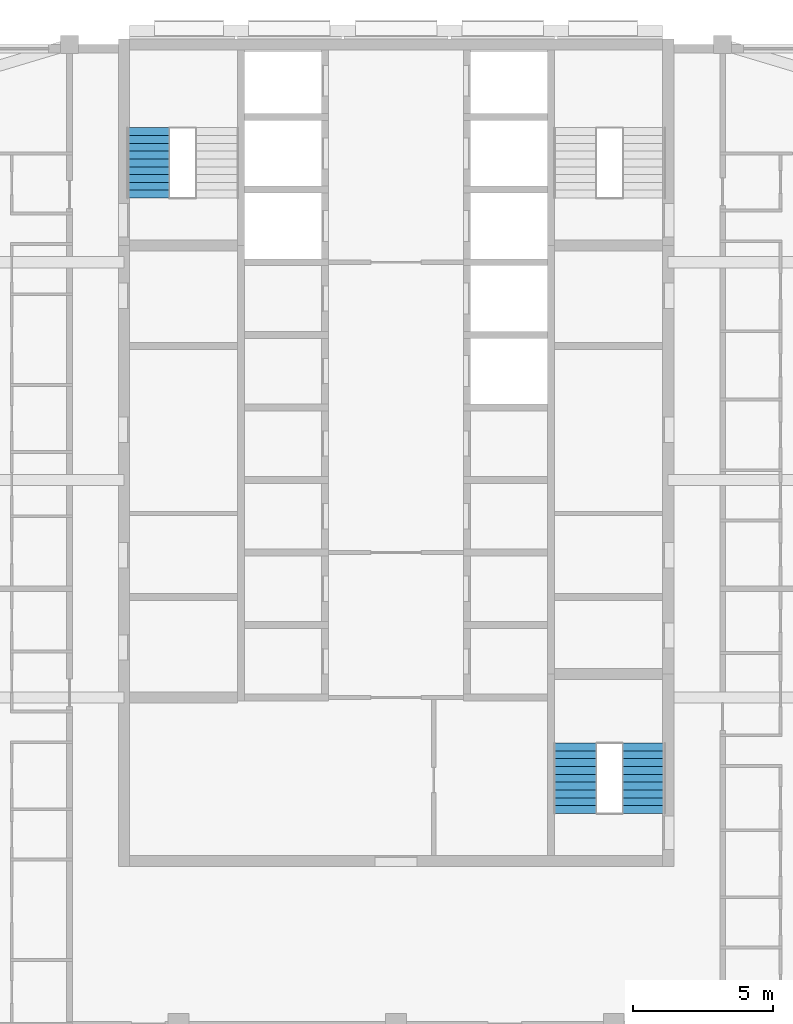
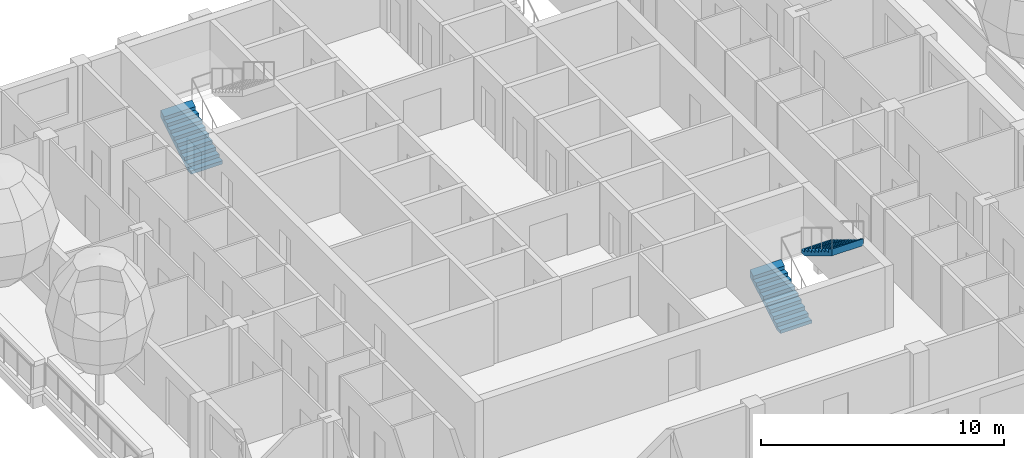
# One storey, part 9 of 13: 3 stair flights, 2 elements without a shape of their own.
"""IFC4 building model written with IfcOpenShell, lengths in metres."""

from ifc_helpers import new_model, si_unit, direction, frame, origin, place, context, subcontext, project, spatial, triangles, material, type_object, element, aggregate, save


model = new_model("IFC4")

# Units and contexts
model_context = context("Model", 3, precision=1e-05, world=origin(), true_north=direction((0.0, 1.0)))
body_context = subcontext(model_context, "Body", "Model", "MODEL_VIEW")
ifc_project = project(units=[si_unit("LENGTHUNIT", "METRE"), si_unit("AREAUNIT", "SQUARE_METRE"), si_unit("VOLUMEUNIT", "CUBIC_METRE"), si_unit("PLANEANGLEUNIT", "RADIAN"), si_unit("MASSUNIT", "GRAM", prefix="KILO")], contexts=[model_context])

# Site, building, storey
site_placement = place(None, origin())
site = spatial("IfcSite", under=ifc_project, at=site_placement, CompositionType="ELEMENT")
building_placement = place(site_placement, origin())
building = spatial("IfcBuilding", under=site, at=building_placement, Name="Ludao Terraces", CompositionType="ELEMENT")
storey_placement = place(building_placement, frame((0.0, 0.0, 259.60009765625)))
storey = spatial("IfcBuildingStorey", under=building, at=storey_placement, Name="L71", CompositionType="ELEMENT", Elevation=259.60009765625)

# Stair, stair flight
ifc_material = material(Name="Concrete C40", Category="concrete")
stair_type = type_object("IfcStairType", Name="INT Stair", PredefinedType="HALF_TURN_STAIR", material=ifc_material)
stair_1_placement = place(storey_placement, origin())
stair_1 = element("IfcStair", 1, at=stair_1_placement, inside=storey, type_object=stair_type, Name="EXIT STAIR 1", PredefinedType="HALF_TURN_STAIR")
stair_flight_type = type_object("IfcStairFlightType", Name="INT Stair flight", PredefinedType="STRAIGHT", material=ifc_material)
stair_flight_1_placement = place(storey_placement, frame((76.125, 79.0, 0.0), z_axis=(0.0, 0.0, 1.0), x_axis=(0.0, 1.0, 0.0)))
stair_flight_1 = element("IfcStairFlight", 2, at=stair_flight_1_placement, type_object=stair_flight_type, Name="ST1 flight 1", NumberOfRisers=10, NumberOfTreads=9, PredefinedType="STRAIGHT", RiserHeight=0.17, TreadLength=0.28, context=body_context, shape_type="Tessellation", body=[
    triangles([(0.0, -0.75, 0.0), (0.0, -0.5, 0.0), (0.0, -0.25, 0.0), (0.0, 0.0, 0.0), (0.0, 0.25, 0.0), (0.0, 0.5, 0.0), (0.0, 0.75, 0.0), (0.0, -0.75, 0.169921875), (0.0, -0.5, 0.169921875), (0.0, -0.25, 0.169921875), (0.0, 0.0, 0.169921875), (0.0, 0.25, 0.169921875), (0.0, 0.5, 0.169921875), (0.0, 0.75, 0.169921875), (0.280029296875, -0.75, 0.169921875), (0.280029296875, -0.5, 0.169921875), (0.280029296875, -0.25, 0.169921875), (0.280029296875, 0.0, 0.169921875), (0.280029296875, 0.25, 0.169921875), (0.280029296875, 0.5, 0.169921875), (0.280029296875, 0.75, 0.169921875), (0.280029296875, -0.75, 0.340087890625), (0.280029296875, -0.5, 0.340087890625), (0.280029296875, -0.25, 0.340087890625), (0.280029296875, 0.0, 0.340087890625), (0.280029296875, 0.25, 0.340087890625), (0.280029296875, 0.5, 0.340087890625), (0.280029296875, 0.75, 0.340087890625), (0.56005859375, -0.75, 0.340087890625), (0.56005859375, -0.5, 0.340087890625), (0.56005859375, -0.25, 0.340087890625), (0.56005859375, 0.0, 0.340087890625), (0.56005859375, 0.25, 0.340087890625), (0.56005859375, 0.5, 0.340087890625), (0.56005859375, 0.75, 0.340087890625), (0.56005859375, -0.75, 0.510009765625), (0.56005859375, -0.5, 0.510009765625), (0.56005859375, -0.25, 0.510009765625), (0.56005859375, 0.0, 0.510009765625), (0.56005859375, 0.25, 0.510009765625), (0.56005859375, 0.5, 0.510009765625), (0.56005859375, 0.75, 0.510009765625), (0.840087890625, -0.75, 0.510009765625), (0.840087890625, -0.5, 0.510009765625), (0.840087890625, -0.25, 0.510009765625), (0.840087890625, 0.0, 0.510009765625), (0.840087890625, 0.25, 0.510009765625), (0.840087890625, 0.5, 0.510009765625), (0.840087890625, 0.75, 0.510009765625), (0.840087890625, -0.75, 0.679931640625), (0.840087890625, -0.5, 0.679931640625), (0.840087890625, -0.25, 0.679931640625), (0.840087890625, 0.0, 0.679931640625), (0.840087890625, 0.25, 0.679931640625), (0.840087890625, 0.5, 0.679931640625), (0.840087890625, 0.75, 0.679931640625), (1.1201171875, -0.75, 0.679931640625), (1.1201171875, -0.5, 0.679931640625), (1.1201171875, -0.25, 0.679931640625), (1.1201171875, 0.0, 0.679931640625), (1.1201171875, 0.25, 0.679931640625), (1.1201171875, 0.5, 0.679931640625), (1.1201171875, 0.75, 0.679931640625), (1.1201171875, -0.75, 0.85009765625), (1.1201171875, -0.5, 0.85009765625), (1.1201171875, -0.25, 0.85009765625), (1.1201171875, 0.0, 0.85009765625), (1.1201171875, 0.25, 0.85009765625), (1.1201171875, 0.5, 0.85009765625), (1.1201171875, 0.75, 0.85009765625), (1.39990234375, -0.75, 0.85009765625), (1.39990234375, -0.5, 0.85009765625), (1.39990234375, -0.25, 0.85009765625), (1.39990234375, 0.0, 0.85009765625), (1.39990234375, 0.25, 0.85009765625), (1.39990234375, 0.5, 0.85009765625), (1.39990234375, 0.75, 0.85009765625), (1.39990234375, -0.75, 1.02001953125), (1.39990234375, -0.5, 1.02001953125), (1.39990234375, -0.25, 1.02001953125), (1.39990234375, 0.0, 1.02001953125), (1.39990234375, 0.25, 1.02001953125), (1.39990234375, 0.5, 1.02001953125), (1.39990234375, 0.75, 1.02001953125), (1.679931640625, -0.75, 1.02001953125), (1.679931640625, -0.5, 1.02001953125), (1.679931640625, -0.25, 1.02001953125), (1.679931640625, 0.0, 1.02001953125), (1.679931640625, 0.25, 1.02001953125), (1.679931640625, 0.5, 1.02001953125), (1.679931640625, 0.75, 1.02001953125), (1.679931640625, -0.75, 1.18994140625), (1.679931640625, -0.5, 1.18994140625), (1.679931640625, -0.25, 1.18994140625), (1.679931640625, 0.0, 1.18994140625), (1.679931640625, 0.25, 1.18994140625), (1.679931640625, 0.5, 1.18994140625), (1.679931640625, 0.75, 1.18994140625), (1.9599609375, -0.75, 1.18994140625), (1.9599609375, -0.5, 1.18994140625), (1.9599609375, -0.25, 1.18994140625), (1.9599609375, 0.0, 1.18994140625), (1.9599609375, 0.25, 1.18994140625), (1.9599609375, 0.5, 1.18994140625), (1.9599609375, 0.75, 1.18994140625), (1.9599609375, -0.75, 1.360107421875), (1.9599609375, -0.5, 1.360107421875), (1.9599609375, -0.25, 1.360107421875), (1.9599609375, 0.0, 1.360107421875), (1.9599609375, 0.25, 1.360107421875), (1.9599609375, 0.5, 1.360107421875), (1.9599609375, 0.75, 1.360107421875), (2.239990234375, -0.75, 1.360107421875), (2.239990234375, -0.5, 1.360107421875), (2.239990234375, -0.25, 1.360107421875), (2.239990234375, 0.0, 1.360107421875), (2.239990234375, 0.25, 1.360107421875), (2.239990234375, 0.5, 1.360107421875), (2.239990234375, 0.75, 1.360107421875), (2.239990234375, -0.75, 1.530029296875), (2.239990234375, -0.5, 1.530029296875), (2.239990234375, -0.25, 1.530029296875), (2.239990234375, 0.0, 1.530029296875), (2.239990234375, 0.25, 1.530029296875), (2.239990234375, 0.5, 1.530029296875), (2.239990234375, 0.75, 1.530029296875), (2.52001953125, -0.75, 1.699951171875), (2.52001953125, -0.5, 1.699951171875), (2.52001953125, -0.25, 1.699951171875), (2.52001953125, 0.0, 1.699951171875), (2.52001953125, 0.25, 1.699951171875), (2.52001953125, 0.5, 1.699951171875), (2.52001953125, 0.75, 1.699951171875), (2.52001953125, -0.75, 1.354736328125), (2.52001953125, -0.5, 1.354736328125), (2.52001953125, -0.25, 1.354736328125), (2.52001953125, 0.0, 1.354736328125), (2.52001953125, 0.25, 1.354736328125), (2.52001953125, 0.5, 1.354736328125), (2.52001953125, 0.75, 1.354736328125), (0.288818359375, -0.75, 0.0), (0.288818359375, -0.5, 0.0), (0.288818359375, -0.25, 0.0), (0.288818359375, 0.0, 0.0), (0.288818359375, 0.25, 0.0), (0.288818359375, 0.5, 0.0), (0.288818359375, 0.75, 0.0)], [[1, 141, 134], [7, 140, 147], [134, 127, 120], [140, 126, 133], [134, 120, 113], [140, 119, 126], [134, 113, 106], [140, 112, 119], [134, 106, 99], [140, 105, 112], [99, 92, 85], [105, 91, 98], [134, 99, 85], [140, 91, 105], [85, 78, 71], [91, 77, 84], [134, 85, 71], [140, 77, 91], [71, 64, 57], [77, 63, 70], [134, 71, 57], [140, 63, 77], [57, 50, 43], [63, 49, 56], [134, 57, 43], [140, 49, 63], [43, 36, 29], [49, 35, 42], [134, 43, 29], [140, 35, 49], [29, 22, 15], [35, 21, 28], [134, 29, 15], [140, 21, 35], [1, 134, 15], [7, 21, 140], [15, 8, 1], [21, 7, 14], [1, 9, 2], [1, 8, 9], [2, 10, 3], [2, 9, 10], [3, 11, 4], [3, 10, 11], [4, 12, 5], [4, 11, 12], [5, 13, 6], [5, 12, 13], [6, 14, 7], [6, 13, 14], [8, 16, 9], [8, 15, 16], [9, 17, 10], [9, 16, 17], [10, 18, 11], [10, 17, 18], [11, 19, 12], [11, 18, 19], [12, 20, 13], [12, 19, 20], [13, 21, 14], [13, 20, 21], [15, 23, 16], [15, 22, 23], [16, 24, 17], [16, 23, 24], [17, 25, 18], [17, 24, 25], [18, 26, 19], [18, 25, 26], [19, 27, 20], [19, 26, 27], [20, 28, 21], [20, 27, 28], [22, 30, 23], [22, 29, 30], [23, 31, 24], [23, 30, 31], [24, 32, 25], [24, 31, 32], [25, 33, 26], [25, 32, 33], [26, 34, 27], [26, 33, 34], [27, 35, 28], [27, 34, 35], [29, 37, 30], [29, 36, 37], [30, 38, 31], [30, 37, 38], [31, 39, 32], [31, 38, 39], [32, 40, 33], [32, 39, 40], [33, 41, 34], [33, 40, 41], [34, 42, 35], [34, 41, 42], [36, 44, 37], [36, 43, 44], [37, 45, 38], [37, 44, 45], [38, 46, 39], [38, 45, 46], [39, 47, 40], [39, 46, 47], [40, 48, 41], [40, 47, 48], [41, 49, 42], [41, 48, 49], [43, 51, 44], [43, 50, 51], [44, 52, 45], [44, 51, 52], [45, 53, 46], [45, 52, 53], [46, 54, 47], [46, 53, 54], [47, 55, 48], [47, 54, 55], [48, 56, 49], [48, 55, 56], [50, 58, 51], [50, 57, 58], [51, 59, 52], [51, 58, 59], [52, 60, 53], [52, 59, 60], [53, 61, 54], [53, 60, 61], [54, 62, 55], [54, 61, 62], [55, 63, 56], [55, 62, 63], [57, 65, 58], [57, 64, 65], [58, 66, 59], [58, 65, 66], [59, 67, 60], [59, 66, 67], [60, 68, 61], [60, 67, 68], [61, 69, 62], [61, 68, 69], [62, 70, 63], [62, 69, 70], [64, 72, 65], [64, 71, 72], [65, 73, 66], [65, 72, 73], [66, 74, 67], [66, 73, 74], [67, 75, 68], [67, 74, 75], [68, 76, 69], [68, 75, 76], [69, 77, 70], [69, 76, 77], [71, 79, 72], [71, 78, 79], [72, 80, 73], [72, 79, 80], [73, 81, 74], [73, 80, 81], [74, 82, 75], [74, 81, 82], [75, 83, 76], [75, 82, 83], [76, 84, 77], [76, 83, 84], [78, 86, 79], [78, 85, 86], [79, 87, 80], [79, 86, 87], [80, 88, 81], [80, 87, 88], [81, 89, 82], [81, 88, 89], [82, 90, 83], [82, 89, 90], [83, 91, 84], [83, 90, 91], [85, 93, 86], [85, 92, 93], [86, 94, 87], [86, 93, 94], [87, 95, 88], [87, 94, 95], [88, 96, 89], [88, 95, 96], [89, 97, 90], [89, 96, 97], [90, 98, 91], [90, 97, 98], [92, 100, 93], [92, 99, 100], [93, 101, 94], [93, 100, 101], [94, 102, 95], [94, 101, 102], [95, 103, 96], [95, 102, 103], [96, 104, 97], [96, 103, 104], [97, 105, 98], [97, 104, 105], [99, 107, 100], [99, 106, 107], [100, 108, 101], [100, 107, 108], [101, 109, 102], [101, 108, 109], [102, 110, 103], [102, 109, 110], [103, 111, 104], [103, 110, 111], [104, 112, 105], [104, 111, 112], [106, 114, 107], [106, 113, 114], [107, 115, 108], [107, 114, 115], [108, 116, 109], [108, 115, 116], [109, 117, 110], [109, 116, 117], [110, 118, 111], [110, 117, 118], [111, 119, 112], [111, 118, 119], [113, 121, 114], [113, 120, 121], [114, 122, 115], [114, 121, 122], [115, 123, 116], [115, 122, 123], [116, 124, 117], [116, 123, 124], [117, 125, 118], [117, 124, 125], [118, 126, 119], [118, 125, 126], [120, 128, 121], [120, 127, 128], [121, 129, 122], [121, 128, 129], [122, 130, 123], [122, 129, 130], [123, 131, 124], [123, 130, 131], [124, 132, 125], [124, 131, 132], [125, 133, 126], [125, 132, 133], [127, 135, 128], [127, 134, 135], [128, 136, 129], [128, 135, 136], [129, 137, 130], [129, 136, 137], [130, 138, 131], [130, 137, 138], [131, 139, 132], [131, 138, 139], [132, 140, 133], [132, 139, 140], [134, 142, 135], [134, 141, 142], [135, 143, 136], [135, 142, 143], [136, 144, 137], [136, 143, 144], [137, 145, 138], [137, 144, 145], [138, 146, 139], [138, 145, 146], [139, 147, 140], [139, 146, 147], [141, 2, 142], [141, 1, 2], [142, 3, 143], [142, 2, 3], [143, 4, 144], [143, 3, 4], [144, 5, 145], [144, 4, 5], [145, 6, 146], [145, 5, 6], [146, 7, 147], [146, 6, 7]], closed=True),
])
aggregate(stair_1, [stair_flight_1])

# Stair, stair flights
stair_2_placement = place(storey_placement, origin())
stair_2 = element("IfcStair", 3, at=stair_2_placement, inside=storey, type_object=stair_type, Name="EXIT STAIR 3", PredefinedType="HALF_TURN_STAIR")
stair_flight_2_placement = place(storey_placement, frame((91.425048828125, 56.949951171875, 0.0), z_axis=(0.0, 0.0, 1.0), x_axis=(0.0, 1.0, 0.0)))
stair_flight_2 = element("IfcStairFlight", 4, at=stair_flight_2_placement, type_object=stair_flight_type, Name="ST3 flight 1", NumberOfRisers=10, NumberOfTreads=9, PredefinedType="STRAIGHT", RiserHeight=0.17, TreadLength=0.28, context=body_context, shape_type="Tessellation", body=[
    triangles([(0.0, -0.75, 0.0), (0.0, -0.5, 0.0), (0.0, -0.25, 0.0), (0.0, 0.0, 0.0), (0.0, 0.25, 0.0), (0.0, 0.5, 0.0), (0.0, 0.75, 0.0), (0.0, -0.75, 0.169921875), (0.0, -0.5, 0.169921875), (0.0, -0.25, 0.169921875), (0.0, 0.0, 0.169921875), (0.0, 0.25, 0.169921875), (0.0, 0.5, 0.169921875), (0.0, 0.75, 0.169921875), (0.280029296875, -0.75, 0.169921875), (0.280029296875, -0.5, 0.169921875), (0.280029296875, -0.25, 0.169921875), (0.280029296875, 0.0, 0.169921875), (0.280029296875, 0.25, 0.169921875), (0.280029296875, 0.5, 0.169921875), (0.280029296875, 0.75, 0.169921875), (0.280029296875, -0.75, 0.340087890625), (0.280029296875, -0.5, 0.340087890625), (0.280029296875, -0.25, 0.340087890625), (0.280029296875, 0.0, 0.340087890625), (0.280029296875, 0.25, 0.340087890625), (0.280029296875, 0.5, 0.340087890625), (0.280029296875, 0.75, 0.340087890625), (0.56005859375, -0.75, 0.340087890625), (0.56005859375, -0.5, 0.340087890625), (0.56005859375, -0.25, 0.340087890625), (0.56005859375, 0.0, 0.340087890625), (0.56005859375, 0.25, 0.340087890625), (0.56005859375, 0.5, 0.340087890625), (0.56005859375, 0.75, 0.340087890625), (0.56005859375, -0.75, 0.510009765625), (0.56005859375, -0.5, 0.510009765625), (0.56005859375, -0.25, 0.510009765625), (0.56005859375, 0.0, 0.510009765625), (0.56005859375, 0.25, 0.510009765625), (0.56005859375, 0.5, 0.510009765625), (0.56005859375, 0.75, 0.510009765625), (0.840087890625, -0.75, 0.510009765625), (0.840087890625, -0.5, 0.510009765625), (0.840087890625, -0.25, 0.510009765625), (0.840087890625, 0.0, 0.510009765625), (0.840087890625, 0.25, 0.510009765625), (0.840087890625, 0.5, 0.510009765625), (0.840087890625, 0.75, 0.510009765625), (0.840087890625, -0.75, 0.679931640625), (0.840087890625, -0.5, 0.679931640625), (0.840087890625, -0.25, 0.679931640625), (0.840087890625, 0.0, 0.679931640625), (0.840087890625, 0.25, 0.679931640625), (0.840087890625, 0.5, 0.679931640625), (0.840087890625, 0.75, 0.679931640625), (1.1201171875, -0.75, 0.679931640625), (1.1201171875, -0.5, 0.679931640625), (1.1201171875, -0.25, 0.679931640625), (1.1201171875, 0.0, 0.679931640625), (1.1201171875, 0.25, 0.679931640625), (1.1201171875, 0.5, 0.679931640625), (1.1201171875, 0.75, 0.679931640625), (1.1201171875, -0.75, 0.85009765625), (1.1201171875, -0.5, 0.85009765625), (1.1201171875, -0.25, 0.85009765625), (1.1201171875, 0.0, 0.85009765625), (1.1201171875, 0.25, 0.85009765625), (1.1201171875, 0.5, 0.85009765625), (1.1201171875, 0.75, 0.85009765625), (1.39990234375, -0.75, 0.85009765625), (1.39990234375, -0.5, 0.85009765625), (1.39990234375, -0.25, 0.85009765625), (1.39990234375, 0.0, 0.85009765625), (1.39990234375, 0.25, 0.85009765625), (1.39990234375, 0.5, 0.85009765625), (1.39990234375, 0.75, 0.85009765625), (1.39990234375, -0.75, 1.02001953125), (1.39990234375, -0.5, 1.02001953125), (1.39990234375, -0.25, 1.02001953125), (1.39990234375, 0.0, 1.02001953125), (1.39990234375, 0.25, 1.02001953125), (1.39990234375, 0.5, 1.02001953125), (1.39990234375, 0.75, 1.02001953125), (1.679931640625, -0.75, 1.02001953125), (1.679931640625, -0.5, 1.02001953125), (1.679931640625, -0.25, 1.02001953125), (1.679931640625, 0.0, 1.02001953125), (1.679931640625, 0.25, 1.02001953125), (1.679931640625, 0.5, 1.02001953125), (1.679931640625, 0.75, 1.02001953125), (1.679931640625, -0.75, 1.18994140625), (1.679931640625, -0.5, 1.18994140625), (1.679931640625, -0.25, 1.18994140625), (1.679931640625, 0.0, 1.18994140625), (1.679931640625, 0.25, 1.18994140625), (1.679931640625, 0.5, 1.18994140625), (1.679931640625, 0.75, 1.18994140625), (1.9599609375, -0.75, 1.18994140625), (1.9599609375, -0.5, 1.18994140625), (1.9599609375, -0.25, 1.18994140625), (1.9599609375, 0.0, 1.18994140625), (1.9599609375, 0.25, 1.18994140625), (1.9599609375, 0.5, 1.18994140625), (1.9599609375, 0.75, 1.18994140625), (1.9599609375, -0.75, 1.360107421875), (1.9599609375, -0.5, 1.360107421875), (1.9599609375, -0.25, 1.360107421875), (1.9599609375, 0.0, 1.360107421875), (1.9599609375, 0.25, 1.360107421875), (1.9599609375, 0.5, 1.360107421875), (1.9599609375, 0.75, 1.360107421875), (2.239990234375, -0.75, 1.360107421875), (2.239990234375, -0.5, 1.360107421875), (2.239990234375, -0.25, 1.360107421875), (2.239990234375, 0.0, 1.360107421875), (2.239990234375, 0.25, 1.360107421875), (2.239990234375, 0.5, 1.360107421875), (2.239990234375, 0.75, 1.360107421875), (2.239990234375, -0.75, 1.530029296875), (2.239990234375, -0.5, 1.530029296875), (2.239990234375, -0.25, 1.530029296875), (2.239990234375, 0.0, 1.530029296875), (2.239990234375, 0.25, 1.530029296875), (2.239990234375, 0.5, 1.530029296875), (2.239990234375, 0.75, 1.530029296875), (2.52001953125, -0.75, 1.699951171875), (2.52001953125, -0.5, 1.699951171875), (2.52001953125, -0.25, 1.699951171875), (2.52001953125, 0.0, 1.699951171875), (2.52001953125, 0.25, 1.699951171875), (2.52001953125, 0.5, 1.699951171875), (2.52001953125, 0.75, 1.699951171875), (2.52001953125, -0.75, 1.354736328125), (2.52001953125, -0.5, 1.354736328125), (2.52001953125, -0.25, 1.354736328125), (2.52001953125, 0.0, 1.354736328125), (2.52001953125, 0.25, 1.354736328125), (2.52001953125, 0.5, 1.354736328125), (2.52001953125, 0.75, 1.354736328125), (0.288818359375, -0.75, 0.0), (0.288818359375, -0.5, 0.0), (0.288818359375, -0.25, 0.0), (0.288818359375, 0.0, 0.0), (0.288818359375, 0.25, 0.0), (0.288818359375, 0.5, 0.0), (0.288818359375, 0.75, 0.0)], [[1, 141, 134], [7, 140, 147], [134, 127, 120], [140, 126, 133], [134, 120, 113], [140, 119, 126], [134, 113, 106], [140, 112, 119], [134, 106, 99], [140, 105, 112], [99, 92, 85], [105, 91, 98], [134, 99, 85], [140, 91, 105], [85, 78, 71], [91, 77, 84], [134, 85, 71], [140, 77, 91], [71, 64, 57], [77, 63, 70], [134, 71, 57], [140, 63, 77], [57, 50, 43], [63, 49, 56], [134, 57, 43], [140, 49, 63], [43, 36, 29], [49, 35, 42], [134, 43, 29], [140, 35, 49], [29, 22, 15], [35, 21, 28], [134, 29, 15], [140, 21, 35], [1, 134, 15], [7, 21, 140], [15, 8, 1], [21, 7, 14], [1, 9, 2], [1, 8, 9], [2, 10, 3], [2, 9, 10], [3, 11, 4], [3, 10, 11], [4, 12, 5], [4, 11, 12], [5, 13, 6], [5, 12, 13], [6, 14, 7], [6, 13, 14], [8, 16, 9], [8, 15, 16], [9, 17, 10], [9, 16, 17], [10, 18, 11], [10, 17, 18], [11, 19, 12], [11, 18, 19], [12, 20, 13], [12, 19, 20], [13, 21, 14], [13, 20, 21], [15, 23, 16], [15, 22, 23], [16, 24, 17], [16, 23, 24], [17, 25, 18], [17, 24, 25], [18, 26, 19], [18, 25, 26], [19, 27, 20], [19, 26, 27], [20, 28, 21], [20, 27, 28], [22, 30, 23], [22, 29, 30], [23, 31, 24], [23, 30, 31], [24, 32, 25], [24, 31, 32], [25, 33, 26], [25, 32, 33], [26, 34, 27], [26, 33, 34], [27, 35, 28], [27, 34, 35], [29, 37, 30], [29, 36, 37], [30, 38, 31], [30, 37, 38], [31, 39, 32], [31, 38, 39], [32, 40, 33], [32, 39, 40], [33, 41, 34], [33, 40, 41], [34, 42, 35], [34, 41, 42], [36, 44, 37], [36, 43, 44], [37, 45, 38], [37, 44, 45], [38, 46, 39], [38, 45, 46], [39, 47, 40], [39, 46, 47], [40, 48, 41], [40, 47, 48], [41, 49, 42], [41, 48, 49], [43, 51, 44], [43, 50, 51], [44, 52, 45], [44, 51, 52], [45, 53, 46], [45, 52, 53], [46, 54, 47], [46, 53, 54], [47, 55, 48], [47, 54, 55], [48, 56, 49], [48, 55, 56], [50, 58, 51], [50, 57, 58], [51, 59, 52], [51, 58, 59], [52, 60, 53], [52, 59, 60], [53, 61, 54], [53, 60, 61], [54, 62, 55], [54, 61, 62], [55, 63, 56], [55, 62, 63], [57, 65, 58], [57, 64, 65], [58, 66, 59], [58, 65, 66], [59, 67, 60], [59, 66, 67], [60, 68, 61], [60, 67, 68], [61, 69, 62], [61, 68, 69], [62, 70, 63], [62, 69, 70], [64, 72, 65], [64, 71, 72], [65, 73, 66], [65, 72, 73], [66, 74, 67], [66, 73, 74], [67, 75, 68], [67, 74, 75], [68, 76, 69], [68, 75, 76], [69, 77, 70], [69, 76, 77], [71, 79, 72], [71, 78, 79], [72, 80, 73], [72, 79, 80], [73, 81, 74], [73, 80, 81], [74, 82, 75], [74, 81, 82], [75, 83, 76], [75, 82, 83], [76, 84, 77], [76, 83, 84], [78, 86, 79], [78, 85, 86], [79, 87, 80], [79, 86, 87], [80, 88, 81], [80, 87, 88], [81, 89, 82], [81, 88, 89], [82, 90, 83], [82, 89, 90], [83, 91, 84], [83, 90, 91], [85, 93, 86], [85, 92, 93], [86, 94, 87], [86, 93, 94], [87, 95, 88], [87, 94, 95], [88, 96, 89], [88, 95, 96], [89, 97, 90], [89, 96, 97], [90, 98, 91], [90, 97, 98], [92, 100, 93], [92, 99, 100], [93, 101, 94], [93, 100, 101], [94, 102, 95], [94, 101, 102], [95, 103, 96], [95, 102, 103], [96, 104, 97], [96, 103, 104], [97, 105, 98], [97, 104, 105], [99, 107, 100], [99, 106, 107], [100, 108, 101], [100, 107, 108], [101, 109, 102], [101, 108, 109], [102, 110, 103], [102, 109, 110], [103, 111, 104], [103, 110, 111], [104, 112, 105], [104, 111, 112], [106, 114, 107], [106, 113, 114], [107, 115, 108], [107, 114, 115], [108, 116, 109], [108, 115, 116], [109, 117, 110], [109, 116, 117], [110, 118, 111], [110, 117, 118], [111, 119, 112], [111, 118, 119], [113, 121, 114], [113, 120, 121], [114, 122, 115], [114, 121, 122], [115, 123, 116], [115, 122, 123], [116, 124, 117], [116, 123, 124], [117, 125, 118], [117, 124, 125], [118, 126, 119], [118, 125, 126], [120, 128, 121], [120, 127, 128], [121, 129, 122], [121, 128, 129], [122, 130, 123], [122, 129, 130], [123, 131, 124], [123, 130, 131], [124, 132, 125], [124, 131, 132], [125, 133, 126], [125, 132, 133], [127, 135, 128], [127, 134, 135], [128, 136, 129], [128, 135, 136], [129, 137, 130], [129, 136, 137], [130, 138, 131], [130, 137, 138], [131, 139, 132], [131, 138, 139], [132, 140, 133], [132, 139, 140], [134, 142, 135], [134, 141, 142], [135, 143, 136], [135, 142, 143], [136, 144, 137], [136, 143, 144], [137, 145, 138], [137, 144, 145], [138, 146, 139], [138, 145, 146], [139, 147, 140], [139, 146, 147], [141, 2, 142], [141, 1, 2], [142, 3, 143], [142, 2, 3], [143, 4, 144], [143, 3, 4], [144, 5, 145], [144, 4, 5], [145, 6, 146], [145, 5, 6], [146, 7, 147], [146, 6, 7]], closed=True),
])
stair_flight_3_placement = place(storey_placement, frame((93.875, 59.469970703125, 1.699951171875), z_axis=(0.0, 0.0, 1.0), x_axis=(0.0, -1.0, 0.0)))
stair_flight_3 = element("IfcStairFlight", 5, at=stair_flight_3_placement, type_object=stair_flight_type, Name="ST3 flight 2", NumberOfRisers=10, NumberOfTreads=9, PredefinedType="STRAIGHT", RiserHeight=0.17, TreadLength=0.28, context=body_context, shape_type="Tessellation", body=[
    triangles([(0.0, -0.75, 0.0), (0.0, -0.5, 0.0), (0.0, -0.25, 0.0), (0.0, 0.0, 0.0), (0.0, 0.25, 0.0), (0.0, 0.5, 0.0), (0.0, 0.75, 0.0), (0.0, -0.75, 0.169921875), (0.0, -0.5, 0.169921875), (0.0, -0.25, 0.169921875), (0.0, 0.0, 0.169921875), (0.0, 0.25, 0.169921875), (0.0, 0.5, 0.169921875), (0.0, 0.75, 0.169921875), (0.280029296875, -0.75, 0.169921875), (0.280029296875, -0.5, 0.169921875), (0.280029296875, -0.25, 0.169921875), (0.280029296875, 0.0, 0.169921875), (0.280029296875, 0.25, 0.169921875), (0.280029296875, 0.5, 0.169921875), (0.280029296875, 0.75, 0.169921875), (0.280029296875, -0.75, 0.340087890625), (0.280029296875, -0.5, 0.340087890625), (0.280029296875, -0.25, 0.340087890625), (0.280029296875, 0.0, 0.340087890625), (0.280029296875, 0.25, 0.340087890625), (0.280029296875, 0.5, 0.340087890625), (0.280029296875, 0.75, 0.340087890625), (0.56005859375, -0.75, 0.340087890625), (0.56005859375, -0.5, 0.340087890625), (0.56005859375, -0.25, 0.340087890625), (0.56005859375, 0.0, 0.340087890625), (0.56005859375, 0.25, 0.340087890625), (0.56005859375, 0.5, 0.340087890625), (0.56005859375, 0.75, 0.340087890625), (0.56005859375, -0.75, 0.510009765625), (0.56005859375, -0.5, 0.510009765625), (0.56005859375, -0.25, 0.510009765625), (0.56005859375, 0.0, 0.510009765625), (0.56005859375, 0.25, 0.510009765625), (0.56005859375, 0.5, 0.510009765625), (0.56005859375, 0.75, 0.510009765625), (0.840087890625, -0.75, 0.510009765625), (0.840087890625, -0.5, 0.510009765625), (0.840087890625, -0.25, 0.510009765625), (0.840087890625, 0.0, 0.510009765625), (0.840087890625, 0.25, 0.510009765625), (0.840087890625, 0.5, 0.510009765625), (0.840087890625, 0.75, 0.510009765625), (0.840087890625, -0.75, 0.679931640625), (0.840087890625, -0.5, 0.679931640625), (0.840087890625, -0.25, 0.679931640625), (0.840087890625, 0.0, 0.679931640625), (0.840087890625, 0.25, 0.679931640625), (0.840087890625, 0.5, 0.679931640625), (0.840087890625, 0.75, 0.679931640625), (1.1201171875, -0.75, 0.679931640625), (1.1201171875, -0.5, 0.679931640625), (1.1201171875, -0.25, 0.679931640625), (1.1201171875, 0.0, 0.679931640625), (1.1201171875, 0.25, 0.679931640625), (1.1201171875, 0.5, 0.679931640625), (1.1201171875, 0.75, 0.679931640625), (1.1201171875, -0.75, 0.85009765625), (1.1201171875, -0.5, 0.85009765625), (1.1201171875, -0.25, 0.85009765625), (1.1201171875, 0.0, 0.85009765625), (1.1201171875, 0.25, 0.85009765625), (1.1201171875, 0.5, 0.85009765625), (1.1201171875, 0.75, 0.85009765625), (1.39990234375, -0.75, 0.85009765625), (1.39990234375, -0.5, 0.85009765625), (1.39990234375, -0.25, 0.85009765625), (1.39990234375, 0.0, 0.85009765625), (1.39990234375, 0.25, 0.85009765625), (1.39990234375, 0.5, 0.85009765625), (1.39990234375, 0.75, 0.85009765625), (1.39990234375, -0.75, 1.02001953125), (1.39990234375, -0.5, 1.02001953125), (1.39990234375, -0.25, 1.02001953125), (1.39990234375, 0.0, 1.02001953125), (1.39990234375, 0.25, 1.02001953125), (1.39990234375, 0.5, 1.02001953125), (1.39990234375, 0.75, 1.02001953125), (1.679931640625, -0.75, 1.02001953125), (1.679931640625, -0.5, 1.02001953125), (1.679931640625, -0.25, 1.02001953125), (1.679931640625, 0.0, 1.02001953125), (1.679931640625, 0.25, 1.02001953125), (1.679931640625, 0.5, 1.02001953125), (1.679931640625, 0.75, 1.02001953125), (1.679931640625, -0.75, 1.18994140625), (1.679931640625, -0.5, 1.18994140625), (1.679931640625, -0.25, 1.18994140625), (1.679931640625, 0.0, 1.18994140625), (1.679931640625, 0.25, 1.18994140625), (1.679931640625, 0.5, 1.18994140625), (1.679931640625, 0.75, 1.18994140625), (1.9599609375, -0.75, 1.18994140625), (1.9599609375, -0.5, 1.18994140625), (1.9599609375, -0.25, 1.18994140625), (1.9599609375, 0.0, 1.18994140625), (1.9599609375, 0.25, 1.18994140625), (1.9599609375, 0.5, 1.18994140625), (1.9599609375, 0.75, 1.18994140625), (1.9599609375, -0.75, 1.360107421875), (1.9599609375, -0.5, 1.360107421875), (1.9599609375, -0.25, 1.360107421875), (1.9599609375, 0.0, 1.360107421875), (1.9599609375, 0.25, 1.360107421875), (1.9599609375, 0.5, 1.360107421875), (1.9599609375, 0.75, 1.360107421875), (2.239990234375, -0.75, 1.360107421875), (2.239990234375, -0.5, 1.360107421875), (2.239990234375, -0.25, 1.360107421875), (2.239990234375, 0.0, 1.360107421875), (2.239990234375, 0.25, 1.360107421875), (2.239990234375, 0.5, 1.360107421875), (2.239990234375, 0.75, 1.360107421875), (2.239990234375, -0.75, 1.530029296875), (2.239990234375, -0.5, 1.530029296875), (2.239990234375, -0.25, 1.530029296875), (2.239990234375, 0.0, 1.530029296875), (2.239990234375, 0.25, 1.530029296875), (2.239990234375, 0.5, 1.530029296875), (2.239990234375, 0.75, 1.530029296875), (2.52001953125, -0.75, 1.699951171875), (2.52001953125, -0.5, 1.699951171875), (2.52001953125, -0.25, 1.699951171875), (2.52001953125, 0.0, 1.699951171875), (2.52001953125, 0.25, 1.699951171875), (2.52001953125, 0.5, 1.699951171875), (2.52001953125, 0.75, 1.699951171875), (2.52001953125, -0.75, 1.354736328125), (2.52001953125, -0.5, 1.354736328125), (2.52001953125, -0.25, 1.354736328125), (2.52001953125, 0.0, 1.354736328125), (2.52001953125, 0.25, 1.354736328125), (2.52001953125, 0.5, 1.354736328125), (2.52001953125, 0.75, 1.354736328125), (0.288818359375, -0.75, 0.0), (0.288818359375, -0.5, 0.0), (0.288818359375, -0.25, 0.0), (0.288818359375, 0.0, 0.0), (0.288818359375, 0.25, 0.0), (0.288818359375, 0.5, 0.0), (0.288818359375, 0.75, 0.0)], [[1, 141, 134], [7, 140, 147], [134, 127, 120], [140, 126, 133], [134, 120, 113], [140, 119, 126], [134, 113, 106], [140, 112, 119], [134, 106, 99], [140, 105, 112], [99, 92, 85], [105, 91, 98], [134, 99, 85], [140, 91, 105], [85, 78, 71], [91, 77, 84], [134, 85, 71], [140, 77, 91], [71, 64, 57], [77, 63, 70], [134, 71, 57], [140, 63, 77], [57, 50, 43], [63, 49, 56], [134, 57, 43], [140, 49, 63], [43, 36, 29], [49, 35, 42], [134, 43, 29], [140, 35, 49], [29, 22, 15], [35, 21, 28], [134, 29, 15], [140, 21, 35], [1, 134, 15], [7, 21, 140], [15, 8, 1], [21, 7, 14], [1, 9, 2], [1, 8, 9], [2, 10, 3], [2, 9, 10], [3, 11, 4], [3, 10, 11], [4, 12, 5], [4, 11, 12], [5, 13, 6], [5, 12, 13], [6, 14, 7], [6, 13, 14], [8, 16, 9], [8, 15, 16], [9, 17, 10], [9, 16, 17], [10, 18, 11], [10, 17, 18], [11, 19, 12], [11, 18, 19], [12, 20, 13], [12, 19, 20], [13, 21, 14], [13, 20, 21], [15, 23, 16], [15, 22, 23], [16, 24, 17], [16, 23, 24], [17, 25, 18], [17, 24, 25], [18, 26, 19], [18, 25, 26], [19, 27, 20], [19, 26, 27], [20, 28, 21], [20, 27, 28], [22, 30, 23], [22, 29, 30], [23, 31, 24], [23, 30, 31], [24, 32, 25], [24, 31, 32], [25, 33, 26], [25, 32, 33], [26, 34, 27], [26, 33, 34], [27, 35, 28], [27, 34, 35], [29, 37, 30], [29, 36, 37], [30, 38, 31], [30, 37, 38], [31, 39, 32], [31, 38, 39], [32, 40, 33], [32, 39, 40], [33, 41, 34], [33, 40, 41], [34, 42, 35], [34, 41, 42], [36, 44, 37], [36, 43, 44], [37, 45, 38], [37, 44, 45], [38, 46, 39], [38, 45, 46], [39, 47, 40], [39, 46, 47], [40, 48, 41], [40, 47, 48], [41, 49, 42], [41, 48, 49], [43, 51, 44], [43, 50, 51], [44, 52, 45], [44, 51, 52], [45, 53, 46], [45, 52, 53], [46, 54, 47], [46, 53, 54], [47, 55, 48], [47, 54, 55], [48, 56, 49], [48, 55, 56], [50, 58, 51], [50, 57, 58], [51, 59, 52], [51, 58, 59], [52, 60, 53], [52, 59, 60], [53, 61, 54], [53, 60, 61], [54, 62, 55], [54, 61, 62], [55, 63, 56], [55, 62, 63], [57, 65, 58], [57, 64, 65], [58, 66, 59], [58, 65, 66], [59, 67, 60], [59, 66, 67], [60, 68, 61], [60, 67, 68], [61, 69, 62], [61, 68, 69], [62, 70, 63], [62, 69, 70], [64, 72, 65], [64, 71, 72], [65, 73, 66], [65, 72, 73], [66, 74, 67], [66, 73, 74], [67, 75, 68], [67, 74, 75], [68, 76, 69], [68, 75, 76], [69, 77, 70], [69, 76, 77], [71, 79, 72], [71, 78, 79], [72, 80, 73], [72, 79, 80], [73, 81, 74], [73, 80, 81], [74, 82, 75], [74, 81, 82], [75, 83, 76], [75, 82, 83], [76, 84, 77], [76, 83, 84], [78, 86, 79], [78, 85, 86], [79, 87, 80], [79, 86, 87], [80, 88, 81], [80, 87, 88], [81, 89, 82], [81, 88, 89], [82, 90, 83], [82, 89, 90], [83, 91, 84], [83, 90, 91], [85, 93, 86], [85, 92, 93], [86, 94, 87], [86, 93, 94], [87, 95, 88], [87, 94, 95], [88, 96, 89], [88, 95, 96], [89, 97, 90], [89, 96, 97], [90, 98, 91], [90, 97, 98], [92, 100, 93], [92, 99, 100], [93, 101, 94], [93, 100, 101], [94, 102, 95], [94, 101, 102], [95, 103, 96], [95, 102, 103], [96, 104, 97], [96, 103, 104], [97, 105, 98], [97, 104, 105], [99, 107, 100], [99, 106, 107], [100, 108, 101], [100, 107, 108], [101, 109, 102], [101, 108, 109], [102, 110, 103], [102, 109, 110], [103, 111, 104], [103, 110, 111], [104, 112, 105], [104, 111, 112], [106, 114, 107], [106, 113, 114], [107, 115, 108], [107, 114, 115], [108, 116, 109], [108, 115, 116], [109, 117, 110], [109, 116, 117], [110, 118, 111], [110, 117, 118], [111, 119, 112], [111, 118, 119], [113, 121, 114], [113, 120, 121], [114, 122, 115], [114, 121, 122], [115, 123, 116], [115, 122, 123], [116, 124, 117], [116, 123, 124], [117, 125, 118], [117, 124, 125], [118, 126, 119], [118, 125, 126], [120, 128, 121], [120, 127, 128], [121, 129, 122], [121, 128, 129], [122, 130, 123], [122, 129, 130], [123, 131, 124], [123, 130, 131], [124, 132, 125], [124, 131, 132], [125, 133, 126], [125, 132, 133], [127, 135, 128], [127, 134, 135], [128, 136, 129], [128, 135, 136], [129, 137, 130], [129, 136, 137], [130, 138, 131], [130, 137, 138], [131, 139, 132], [131, 138, 139], [132, 140, 133], [132, 139, 140], [134, 142, 135], [134, 141, 142], [135, 143, 136], [135, 142, 143], [136, 144, 137], [136, 143, 144], [137, 145, 138], [137, 144, 145], [138, 146, 139], [138, 145, 146], [139, 147, 140], [139, 146, 147], [141, 2, 142], [141, 1, 2], [142, 3, 143], [142, 2, 3], [143, 4, 144], [143, 3, 4], [144, 5, 145], [144, 4, 5], [145, 6, 146], [145, 5, 6], [146, 7, 147], [146, 6, 7]], closed=True),
])
aggregate(stair_2, [stair_flight_2, stair_flight_3])

save(model, "model.ifc")
